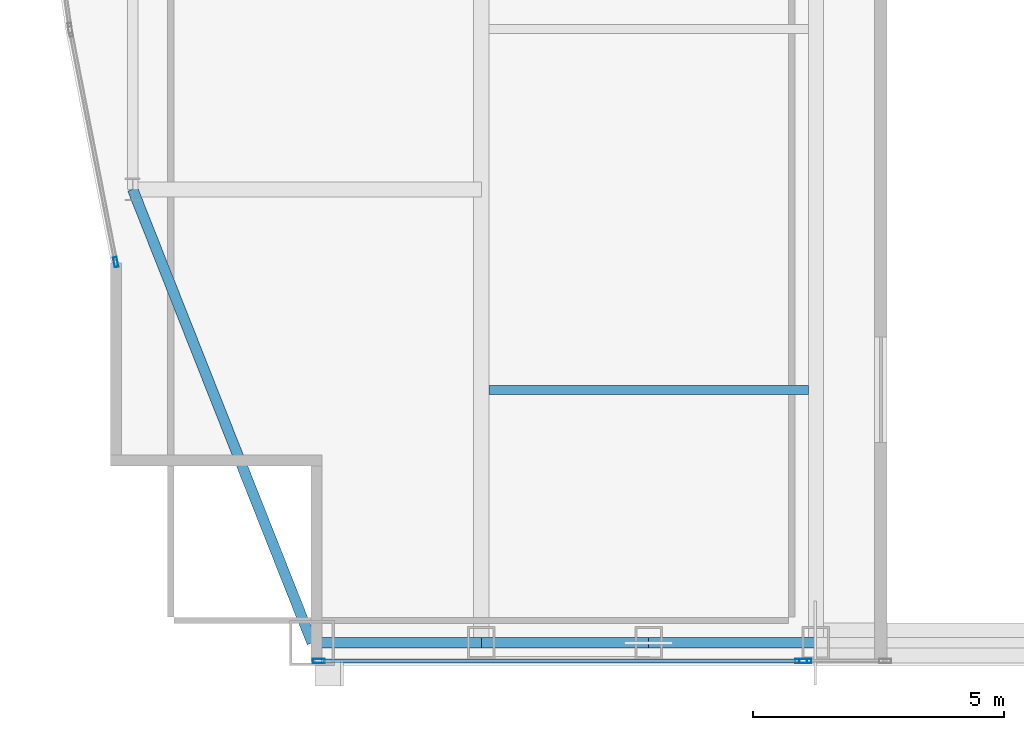
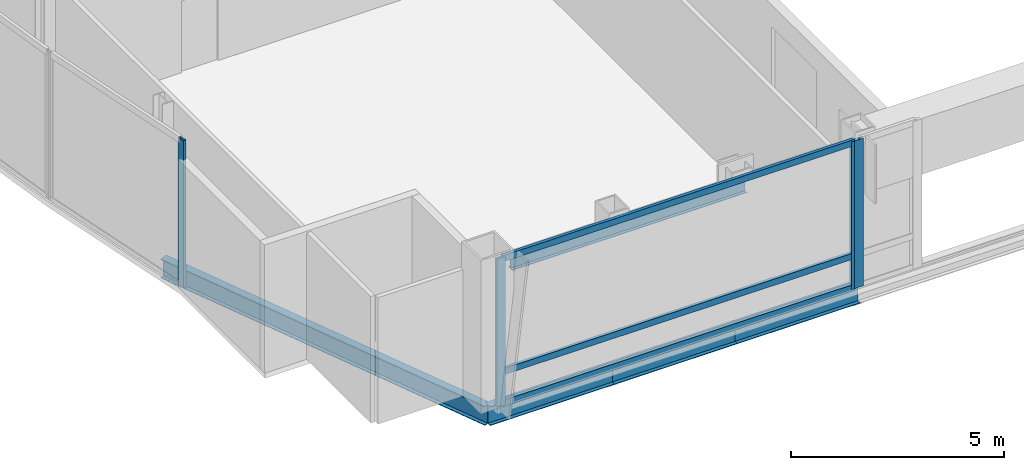
# One storey, part 4 of 27: 7 members, 5 beams, 3 elements without a shape of their own.
"""IFC4 building model written with IfcOpenShell, lengths in metres."""

from ifc_helpers import new_model, si_unit, direction, frame, origin, origin_2d, place, context, subcontext, project, spatial, hollow_rectangle, i_section, extrude, material, material_profile, profile_set, type_object, element, aggregate, save


model = new_model("IFC4")

# Units and contexts
model_context = context("Model", 3, precision=1e-05, world=origin(), true_north=direction((0.0, 1.0)))
body_context = subcontext(model_context, "Body", "Model", "MODEL_VIEW")
ifc_project = project(units=[si_unit("LENGTHUNIT", "METRE"), si_unit("AREAUNIT", "SQUARE_METRE"), si_unit("VOLUMEUNIT", "CUBIC_METRE"), si_unit("PLANEANGLEUNIT", "RADIAN"), si_unit("MASSUNIT", "GRAM", prefix="KILO")], contexts=[model_context])

# Site, building, storey
site_placement = place(None, origin())
site = spatial("IfcSite", under=ifc_project, at=site_placement, CompositionType="ELEMENT")
building_placement = place(site_placement, origin())
building = spatial("IfcBuilding", under=site, at=building_placement, Name="Khoronbel Lancet Exchange", CompositionType="ELEMENT")
storey_placement = place(building_placement, frame((0.0, 0.0, 310.199951171875)))
storey = spatial("IfcBuildingStorey", under=building, at=storey_placement, Name="L80", CompositionType="ELEMENT", Elevation=310.199951171875)

# Beams
ifc_material_1 = material(Name="Steel S355", Category="steel")
ifc_material_profile_1 = material_profile(ifc_material_1, i_section(OverallWidth=0.179931640625, OverallDepth=0.39990234375, WebThickness=0.008544921875, FlangeThickness=0.013427734375, at=origin_2d()), Name="IPE 400")
ifc_profile_set_1 = profile_set([ifc_material_profile_1], Name="Steel S355")
beam_type_1 = type_object("IfcBeamType", Name="BM-BJ5", PredefinedType="JOIST", material=ifc_profile_set_1)
beam_1_placement = place(storey_placement, frame((18.375, 15.199951171875, -0.35986328125), z_axis=(1.0, 0.0, 0.0), x_axis=(0.0, 1.0, 0.0)))
element("IfcBeam", 1, at=beam_1_placement, inside=storey, type_object=beam_type_1, Name="Level L80 secondary composite joist J01", PredefinedType="JOIST", context=body_context, shape_type="SweptSolid", body=[
    extrude(i_section(OverallWidth=0.179931640625, OverallDepth=0.39990234375, WebThickness=0.008544921875, FlangeThickness=0.013427734375, at=origin_2d()), origin(), (0.0, 0.0, 1.0), 6.375),
])
ifc_material_profile_2 = material_profile(ifc_material_1, i_section(OverallWidth=0.2099609375, OverallDepth=0.550048828125, WebThickness=0.010986328125, FlangeThickness=0.01708984375, at=origin_2d()), Name="IPE 550")
ifc_profile_set_2 = profile_set([ifc_material_profile_2], Name="Steel S355")
beam_type_2 = type_object("IfcBeamType", Name="BM-BSP3", PredefinedType="SPANDREL", material=ifc_profile_set_2)
beam_2_placement = place(storey_placement, frame((14.85009765625, 10.14990234375, -0.43505859375), z_axis=(1.0, 0.0, 0.0), x_axis=(0.0, 1.0, 0.0)))
element("IfcBeam", 2, at=beam_2_placement, inside=storey, type_object=beam_type_2, Name="Level L80 perimeter spandrel beam SP01", PredefinedType="SPANDREL", context=body_context, shape_type="SweptSolid", body=[
    extrude(i_section(OverallWidth=0.2099609375, OverallDepth=0.550048828125, WebThickness=0.010986328125, FlangeThickness=0.01708984375, at=origin_2d()), origin(), (0.0, 0.0, 1.0), 3.375),
])
for number, where, z_axis, x_axis, name in (
    (3, (18.22509765625, 10.14990234375, -0.43505859375), (1.0, 0.0, 0.0), (0.0, 1.0, 0.0), "Level L80 perimeter spandrel beam SP02"),
    (4, (21.5625, 10.14990234375, -0.43505859375), (1.0, 0.0, 0.0), (0.0, 1.0, 0.0), "Level L80 perimeter spandrel beam SP03"),
):
    element("IfcBeam", number, at=place(storey_placement, frame(where, z_axis=z_axis, x_axis=x_axis)), inside=storey, type_object=beam_type_2, Name=name, PredefinedType="SPANDREL", context=body_context, shape_type="SweptSolid", body=[
        extrude(i_section(OverallWidth=0.2099609375, OverallDepth=0.550048828125, WebThickness=0.010986328125, FlangeThickness=0.01708984375, at=origin_2d()), origin(), (0.0, 0.0, 1.0), 3.33740234375),
    ])
beam_3_placement = place(storey_placement, frame((11.27001953125, 19.199951171875, -0.43505859375), z_axis=(0.367850095026, -0.92988510451, 0.0), x_axis=(0.92988510451, 0.367850095026, 0.0)))
element("IfcBeam", 5, at=beam_3_placement, inside=storey, type_object=beam_type_2, Name="Level L80 perimeter spandrel beam SP19", PredefinedType="SPANDREL", context=body_context, shape_type="SweptSolid", body=[
    extrude(i_section(OverallWidth=0.2099609375, OverallDepth=0.550048828125, WebThickness=0.010986328125, FlangeThickness=0.01708984375, at=origin_2d()), origin(), (0.0, 0.0, 1.0), 9.732421875),
])

# Curtain wall, members
ifc_material_2 = material(Name="Low-E Solar Control Insulating Glass", Category="glass")
curtain_wall_type_1 = type_object("IfcCurtainWallType", Name="CW-3", PredefinedType="NOTDEFINED", material=ifc_material_2)
curtain_wall_1_placement = place(storey_placement, origin())
curtain_wall_1 = element("IfcCurtainWall", 6, at=curtain_wall_1_placement, inside=storey, type_object=curtain_wall_type_1, Name="Unitised curtain wall CW-L80-SW-WING", PredefinedType="NOTDEFINED")
ifc_material_3 = material(Name="Bronze-Anodised Aluminium 6063-T6", Category="aluminium")
ifc_material_profile_3 = material_profile(ifc_material_3, hollow_rectangle(XDim=0.0849609375, YDim=0.239990234375, WallThickness=0.006103515625, at=origin_2d()), Name="ALU MULLION 85x240")
ifc_profile_set_3 = profile_set([ifc_material_profile_3], Name="Bronze-Anodised Aluminium 6063-T6")
member_type_1 = type_object("IfcMemberType", Name="MEM-CWM1", PredefinedType="MULLION", material=ifc_profile_set_3)
member_1_placement = place(storey_placement, frame((14.982421875, 9.7900390625, 0.0), z_axis=(0.0, 0.0, 1.0), x_axis=(0.0, 1.0, 0.0)))
member_1 = element("IfcMember", 7, at=member_1_placement, type_object=member_type_1, Name="CW3 mullion 1", PredefinedType="MULLION", context=body_context, shape_type="SweptSolid", body=[
    extrude(hollow_rectangle(XDim=0.0849609375, YDim=0.239990234375, WallThickness=0.006103515625, at=origin_2d()), origin(), (0.0, 0.0, 1.0), 4.239990234375),
])
member_2_placement = place(storey_placement, frame((24.607421875, 9.7900390625, 0.0), z_axis=(0.0, 0.0, 1.0), x_axis=(0.0, 1.0, 0.0)))
member_2 = element("IfcMember", 8, at=member_2_placement, type_object=member_type_1, Name="CW3 mullion 2", PredefinedType="MULLION", context=body_context, shape_type="SweptSolid", body=[
    extrude(hollow_rectangle(XDim=0.0849609375, YDim=0.239990234375, WallThickness=0.006103515625, at=origin_2d()), origin(), (0.0, 0.0, 1.0), 4.239990234375),
])

# Curtain wall, member
curtain_wall_2_placement = place(storey_placement, origin())
curtain_wall_2 = element("IfcCurtainWall", 9, at=curtain_wall_2_placement, inside=storey, type_object=curtain_wall_type_1, Name="Unitised curtain wall CW-L80-SW-PIER", PredefinedType="NOTDEFINED")
member_3_placement = place(storey_placement, frame((24.6923828125, 9.7900390625, 0.0), z_axis=(0.0, 0.0, 1.0), x_axis=(0.0, 1.0, 0.0)))
member_3 = element("IfcMember", 10, at=member_3_placement, type_object=member_type_1, Name="CW3 mullion 1", PredefinedType="MULLION", context=body_context, shape_type="SweptSolid", body=[
    extrude(hollow_rectangle(XDim=0.0849609375, YDim=0.239990234375, WallThickness=0.006103515625, at=origin_2d()), origin(), (0.0, 0.0, 1.0), 4.239990234375),
])
aggregate(curtain_wall_2, [member_3])

curtain_wall_type_2 = type_object("IfcCurtainWallType", Name="CW-4", PredefinedType="NOTDEFINED", material=ifc_material_2)
curtain_wall_3_placement = place(storey_placement, origin())
curtain_wall_3 = element("IfcCurtainWall", 11, at=curtain_wall_3_placement, inside=storey, type_object=curtain_wall_type_2, Name="Unitised curtain wall CW-L80-E04", PredefinedType="NOTDEFINED")
ifc_material_profile_4 = material_profile(ifc_material_3, hollow_rectangle(XDim=0.074951171875, YDim=0.199951171875, WallThickness=0.0048828125, at=origin_2d()), Name="ALU MULLION 75x200")
ifc_profile_set_4 = profile_set([ifc_material_profile_4], Name="Bronze-Anodised Aluminium 6063-T6")
member_type_2 = type_object("IfcMemberType", Name="MEM-CWM2", PredefinedType="MULLION", material=ifc_profile_set_4)
member_4_placement = place(storey_placement, frame((10.932861328125, 17.74560546875, 0.0), z_axis=(0.0, 0.0, 1.0), x_axis=(-0.981360294009, -0.192176932391, 0.0)))
member_4 = element("IfcMember", 12, at=member_4_placement, type_object=member_type_2, Name="CW4 mullion 1", PredefinedType="MULLION", context=body_context, shape_type="SweptSolid", body=[
    extrude(hollow_rectangle(XDim=0.074951171875, YDim=0.199951171875, WallThickness=0.0048828125, at=origin_2d()), origin(), (0.0, 0.0, 1.0), 4.239990234375),
])
aggregate(curtain_wall_3, [member_4])

# Member
ifc_material_profile_5 = material_profile(ifc_material_3, hollow_rectangle(XDim=0.0849609375, YDim=0.179931640625, WallThickness=0.0048828125, at=origin_2d()), Name="ALU TRANSOM 85x180")
ifc_profile_set_5 = profile_set([ifc_material_profile_5], Name="Bronze-Anodised Aluminium 6063-T6")
member_type_3 = type_object("IfcMemberType", Name="MEM-CWT1", PredefinedType="USERDEFINED", material=ifc_profile_set_5)
member_5_placement = place(storey_placement, frame((15.02490234375, 9.7900390625, 0.04248046875), z_axis=(1.0, 0.0, 0.0), x_axis=(0.0, 1.0, 0.0)))
member_5 = element("IfcMember", 13, at=member_5_placement, type_object=member_type_3, Name="CW3 transom 1.1", ObjectType="TRANSOM", PredefinedType="USERDEFINED", context=body_context, shape_type="SweptSolid", body=[
    extrude(hollow_rectangle(XDim=0.0849609375, YDim=0.179931640625, WallThickness=0.0048828125, at=origin_2d()), origin(), (0.0, 0.0, 1.0), 9.5400390625),
])

member_6_placement = place(storey_placement, frame((15.02490234375, 9.7900390625, 0.949951171875), z_axis=(1.0, 0.0, 0.0), x_axis=(0.0, 1.0, 0.0)))
member_6 = element("IfcMember", 14, at=member_6_placement, type_object=member_type_3, Name="CW3 transom 1.2", ObjectType="TRANSOM", PredefinedType="USERDEFINED", context=body_context, shape_type="SweptSolid", body=[
    extrude(hollow_rectangle(XDim=0.0849609375, YDim=0.179931640625, WallThickness=0.0048828125, at=origin_2d()), origin(), (0.0, 0.0, 1.0), 9.5400390625),
])

member_7_placement = place(storey_placement, frame((15.02490234375, 9.7900390625, 4.197509765625), z_axis=(1.0, 0.0, 0.0), x_axis=(0.0, 1.0, 0.0)))
member_7 = element("IfcMember", 15, at=member_7_placement, type_object=member_type_3, Name="CW3 transom 1.3", ObjectType="TRANSOM", PredefinedType="USERDEFINED", context=body_context, shape_type="SweptSolid", body=[
    extrude(hollow_rectangle(XDim=0.0849609375, YDim=0.179931640625, WallThickness=0.0048828125, at=origin_2d()), origin(), (0.0, 0.0, 1.0), 9.5400390625),
])

aggregate(curtain_wall_1, [member_1, member_2, member_5, member_6, member_7])

save(model, "model.ifc")
